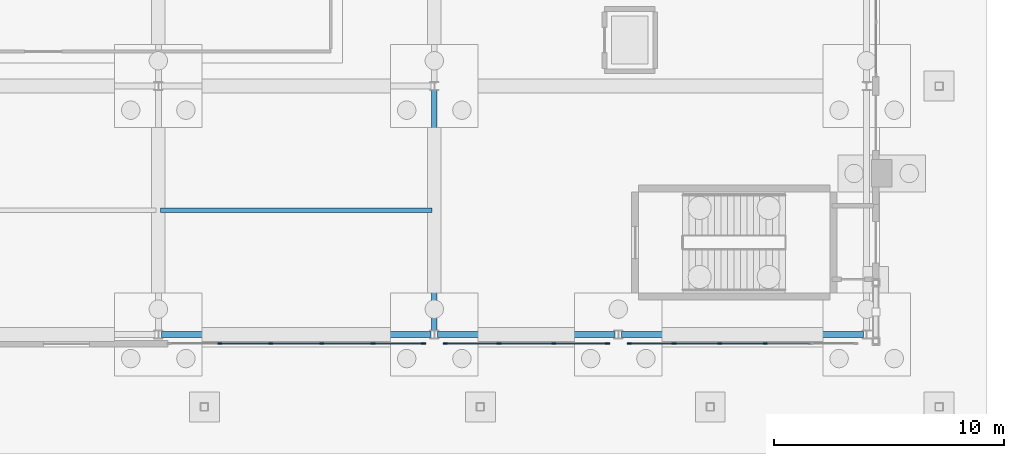
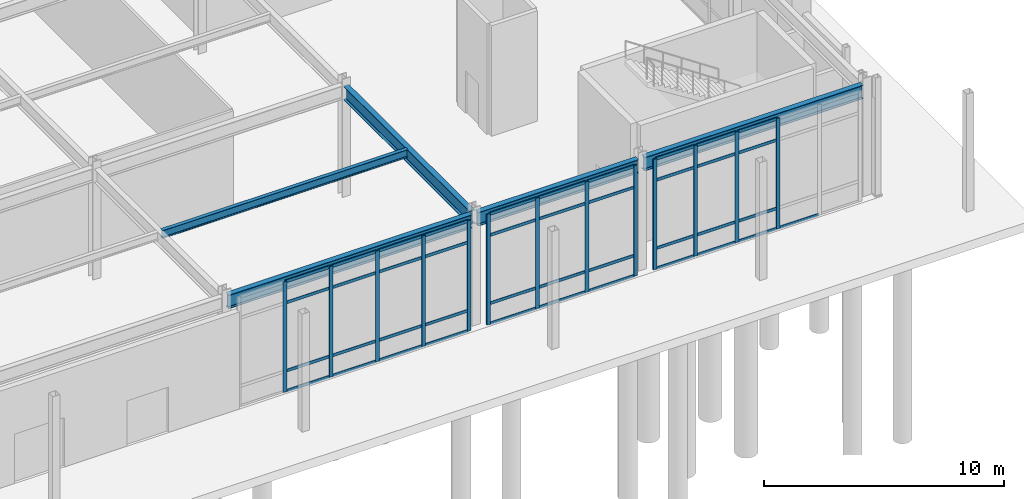
# One storey, part 59 of 143: 54 members, 5 beams, 3 elements without a shape of their own.
"""IFC4 building model written with IfcOpenShell, lengths in metres."""

from ifc_helpers import new_model, si_unit, derived_unit, direction, frame, origin, origin_2d, place, context, subcontext, project, spatial, rectangle, i_section, extrude, material, layer, layer_set, material_profile, profile_set, type_object, element, aggregate, save


model = new_model("IFC4")

# Units and contexts
model_context = context("Model", 3, precision=1e-05, world=origin(), true_north=direction((0.0, 1.0)))
body_context = subcontext(model_context, "Body", "Model", "MODEL_VIEW")
ifc_project = project(units=[si_unit("LENGTHUNIT", "METRE"), si_unit("AREAUNIT", "SQUARE_METRE"), si_unit("VOLUMEUNIT", "CUBIC_METRE"), si_unit("PLANEANGLEUNIT", "RADIAN"), si_unit("MASSUNIT", "GRAM", prefix="KILO"), derived_unit("THERMALTRANSMITTANCEUNIT", [(si_unit("MASSUNIT", "GRAM", prefix="KILO"), 1), (si_unit("TIMEUNIT", "SECOND"), -3), (si_unit("THERMODYNAMICTEMPERATUREUNIT", "KELVIN"), -1)])], contexts=[model_context])

# Site, building, storey
site_placement = place(None, origin())
site = spatial("IfcSite", under=ifc_project, at=site_placement, CompositionType="ELEMENT")
building_placement = place(site_placement, origin())
building = spatial("IfcBuilding", under=site, at=building_placement, Name="Valcora Ridge Arena", CompositionType="ELEMENT")
storey_placement = place(building_placement, origin())
storey = spatial("IfcBuildingStorey", under=building, at=storey_placement, Name="L00", CompositionType="ELEMENT", Elevation=0.0)

# Beams
ifc_material_1 = material(Name="Steel ASTM A572 Grade 50", Category="steel")
ifc_material_profile_1 = material_profile(ifc_material_1, i_section(OverallWidth=0.256103515625, OverallDepth=0.693115234375, WebThickness=0.014404296875, FlangeThickness=0.023681640625, FilletRadius=0.02001953125, at=origin_2d()), Name="W27X114")
ifc_profile_set_1 = profile_set([ifc_material_profile_1], Name="Steel ASTM A572 Grade 50")
beam_type_1 = type_object("IfcBeamType", Name="TY-BEAM-G-W27X114-Y", PredefinedType="BEAM", material=ifc_profile_set_1)
beam_1_placement = place(storey_placement, frame((168.0, 5.340087890625, 5.2734375), z_axis=(0.0, 1.0, 0.0), x_axis=(-1.0, 0.0, 0.0)))
element("IfcBeam", 1, at=beam_1_placement, inside=storey, type_object=beam_type_1, Name="G-W27X114-Y BEM-G-W27X114-Y-0018", PredefinedType="BEAM", context=body_context, shape_type="SweptSolid", body=[
    extrude(i_section(OverallWidth=0.256103515625, OverallDepth=0.693115234375, WebThickness=0.014404296875, FlangeThickness=0.023681640625, FilletRadius=0.02001953125, at=origin_2d()), origin(), (0.0, 0.0, 1.0), 10.52001953125),
])
ifc_material_profile_2 = material_profile(ifc_material_1, i_section(OverallWidth=0.177978515625, OverallDepth=0.406005859375, WebThickness=0.0078125, FlangeThickness=0.0126953125, FilletRadius=0.013916015625, at=origin_2d()), Name="W16X40")
ifc_profile_set_2 = profile_set([ifc_material_profile_2], Name="Steel ASTM A572 Grade 50")
beam_type_2 = type_object("IfcBeamType", Name="TY-BEAM-J-W16X40", PredefinedType="JOIST", material=ifc_profile_set_2)
beam_2_placement = place(storey_placement, frame((156.10009765625, 10.60009765625, 5.4169921875), z_axis=(1.0, 0.0, 0.0), x_axis=(0.0, 1.0, 0.0)))
element("IfcBeam", 2, at=beam_2_placement, inside=storey, type_object=beam_type_2, Name="J-W16X40 BEM-J-W16X40-0006", PredefinedType="JOIST", context=body_context, shape_type="SweptSolid", body=[
    extrude(i_section(OverallWidth=0.177978515625, OverallDepth=0.406005859375, WebThickness=0.0078125, FlangeThickness=0.0126953125, FilletRadius=0.013916015625, at=origin_2d()), origin(), (0.0, 0.0, 1.0), 11.7998046875),
])
ifc_material_profile_3 = material_profile(ifc_material_1, i_section(OverallWidth=0.256103515625, OverallDepth=0.693115234375, WebThickness=0.014404296875, FlangeThickness=0.023681640625, FilletRadius=0.02001953125, at=origin_2d()), Name="W27X114")
ifc_profile_set_3 = profile_set([ifc_material_profile_3], Name="Steel ASTM A572 Grade 50")
beam_type_3 = type_object("IfcBeamType", Name="TY-BEAM-SP-W27X114", PredefinedType="SPANDREL", material=ifc_profile_set_3)
beam_3_placement = place(storey_placement, frame((156.139892578125, 5.199951171875, 5.2734375), z_axis=(1.0, 0.0, 0.0), x_axis=(0.0, 1.0, 0.0)))
element("IfcBeam", 3, at=beam_3_placement, inside=storey, type_object=beam_type_3, Name="SP-W27X114 BEM-SP-W27X114-0003", PredefinedType="SPANDREL", context=body_context, shape_type="SweptSolid", body=[
    extrude(i_section(OverallWidth=0.256103515625, OverallDepth=0.693115234375, WebThickness=0.014404296875, FlangeThickness=0.023681640625, FilletRadius=0.02001953125, at=origin_2d()), origin(), (0.0, 0.0, 1.0), 11.72021484375),
])
beam_4_placement = place(storey_placement, frame((168.139892578125, 5.199951171875, 5.2734375), z_axis=(1.0, 0.0, 0.0), x_axis=(0.0, 1.0, 0.0)))
element("IfcBeam", 4, at=beam_4_placement, inside=storey, type_object=beam_type_3, Name="SP-W27X114 BEM-SP-W27X114-0004", PredefinedType="SPANDREL", context=body_context, shape_type="SweptSolid", body=[
    extrude(i_section(OverallWidth=0.256103515625, OverallDepth=0.693115234375, WebThickness=0.014404296875, FlangeThickness=0.023681640625, FilletRadius=0.02001953125, at=origin_2d()), origin(), (0.0, 0.0, 1.0), 7.72021484375),
])
beam_5_placement = place(storey_placement, frame((176.139892578125, 5.199951171875, 5.2734375), z_axis=(1.0, 0.0, 0.0), x_axis=(0.0, 1.0, 0.0)))
element("IfcBeam", 5, at=beam_5_placement, inside=storey, type_object=beam_type_3, Name="SP-W27X114 BEM-SP-W27X114-0005", PredefinedType="SPANDREL", context=body_context, shape_type="SweptSolid", body=[
    extrude(i_section(OverallWidth=0.256103515625, OverallDepth=0.693115234375, WebThickness=0.014404296875, FlangeThickness=0.023681640625, FilletRadius=0.02001953125, at=origin_2d()), origin(), (0.0, 0.0, 1.0), 10.52001953125),
])

# Curtain wall, members
ifc_material_2 = material(Name="Anodised dark bronze architectural aluminium 6063-T6", Category="aluminium")
ifc_layer_1 = layer(ifc_material_2, 0.179931640625, Name="Anodised dark bronze architectural aluminium 6063-T6")
ifc_layer_set_1 = layer_set([ifc_layer_1], Name="Anodised dark bronze architectural aluminium 6063-T6")
curtain_wall_type_1 = type_object("IfcCurtainWallType", Name="TY-CURTAINWALL-CW-V2-GLAZ-111X56", PredefinedType="NOTDEFINED", material=ifc_layer_set_1)
curtain_wall_1_placement = place(storey_placement, origin())
curtain_wall_1 = element("IfcCurtainWall", 6, at=curtain_wall_1_placement, inside=storey, type_object=curtain_wall_type_1, Name="CW-V2-GLAZ-111X56 CW-0025", PredefinedType="NOTDEFINED")
ifc_material_profile_4 = material_profile(ifc_material_2, rectangle(XDim=0.06005859375, YDim=0.179931640625, at=origin_2d()), Name="ALU MULLION 60x180")
ifc_profile_set_4 = profile_set([ifc_material_profile_4], Name="Anodised dark bronze architectural aluminium 6063-T6")
member_type_1 = type_object("IfcMemberType", Name="TY-MEM-CWM-60x180", PredefinedType="MULLION", material=ifc_profile_set_4)
member_1_placement = place(storey_placement, frame((158.663818359375, 4.800048828125, 0.0), z_axis=(0.0, 0.0, 1.0), x_axis=(0.0, 1.0, 0.0)))
member_1 = element("IfcMember", 7, at=member_1_placement, type_object=member_type_1, Name="CW-0025/CWM-60x180/M01", PredefinedType="MULLION", context=body_context, shape_type="SweptSolid", body=[
    extrude(rectangle(XDim=0.06005859375, YDim=0.179931640625, at=origin_2d()), origin(), (0.0, 0.0, 1.0), 5.6201171875),
])
member_2_placement = place(storey_placement, frame((160.887939453125, 4.800048828125, 0.0), z_axis=(0.0, 0.0, 1.0), x_axis=(0.0, 1.0, 0.0)))
member_2 = element("IfcMember", 8, at=member_2_placement, type_object=member_type_1, Name="CW-0025/CWM-60x180/M02", PredefinedType="MULLION", context=body_context, shape_type="SweptSolid", body=[
    extrude(rectangle(XDim=0.06005859375, YDim=0.179931640625, at=origin_2d()), origin(), (0.0, 0.0, 1.0), 5.6201171875),
])
member_3_placement = place(storey_placement, frame((163.112060546875, 4.800048828125, 0.0), z_axis=(0.0, 0.0, 1.0), x_axis=(0.0, 1.0, 0.0)))
member_3 = element("IfcMember", 9, at=member_3_placement, type_object=member_type_1, Name="CW-0025/CWM-60x180/M03", PredefinedType="MULLION", context=body_context, shape_type="SweptSolid", body=[
    extrude(rectangle(XDim=0.06005859375, YDim=0.179931640625, at=origin_2d()), origin(), (0.0, 0.0, 1.0), 5.6201171875),
])
member_4_placement = place(storey_placement, frame((165.336181640625, 4.800048828125, 0.0), z_axis=(0.0, 0.0, 1.0), x_axis=(0.0, 1.0, 0.0)))
member_4 = element("IfcMember", 10, at=member_4_placement, type_object=member_type_1, Name="CW-0025/CWM-60x180/M04", PredefinedType="MULLION", context=body_context, shape_type="SweptSolid", body=[
    extrude(rectangle(XDim=0.06005859375, YDim=0.179931640625, at=origin_2d()), origin(), (0.0, 0.0, 1.0), 5.6201171875),
])
member_5_placement = place(storey_placement, frame((167.530517578125, 4.800048828125, 0.0), z_axis=(0.0, 0.0, 1.0), x_axis=(0.0, 1.0, 0.0)))
member_5 = element("IfcMember", 11, at=member_5_placement, type_object=member_type_1, Name="CW-0025/CWM-60x180/M05", PredefinedType="MULLION", context=body_context, shape_type="SweptSolid", body=[
    extrude(rectangle(XDim=0.06005859375, YDim=0.179931640625, at=origin_2d()), origin(), (0.0, 0.0, 1.0), 5.6201171875),
])

ifc_layer_2 = layer(ifc_material_2, 0.179931640625, Name="Anodised dark bronze architectural aluminium 6063-T6")
ifc_layer_set_2 = layer_set([ifc_layer_2], Name="Anodised dark bronze architectural aluminium 6063-T6")
curtain_wall_type_2 = type_object("IfcCurtainWallType", Name="TY-CURTAINWALL-CW-V2-GLAZ-071X56", PredefinedType="NOTDEFINED", material=ifc_layer_set_2)
curtain_wall_2_placement = place(storey_placement, origin())
curtain_wall_2 = element("IfcCurtainWall", 12, at=curtain_wall_2_placement, inside=storey, type_object=curtain_wall_type_2, Name="CW-V2-GLAZ-071X56 CW-0026", PredefinedType="NOTDEFINED")
member_6_placement = place(storey_placement, frame((168.469482421875, 4.800048828125, 0.0), z_axis=(0.0, 0.0, 1.0), x_axis=(0.0, 1.0, 0.0)))
member_6 = element("IfcMember", 13, at=member_6_placement, type_object=member_type_1, Name="CW-0026/CWM-60x180/M00", PredefinedType="MULLION", context=body_context, shape_type="SweptSolid", body=[
    extrude(rectangle(XDim=0.06005859375, YDim=0.179931640625, at=origin_2d()), origin(), (0.0, 0.0, 1.0), 5.6201171875),
])
member_7_placement = place(storey_placement, frame((170.813232421875, 4.800048828125, 0.0), z_axis=(0.0, 0.0, 1.0), x_axis=(0.0, 1.0, 0.0)))
member_7 = element("IfcMember", 14, at=member_7_placement, type_object=member_type_1, Name="CW-0026/CWM-60x180/M01", PredefinedType="MULLION", context=body_context, shape_type="SweptSolid", body=[
    extrude(rectangle(XDim=0.06005859375, YDim=0.179931640625, at=origin_2d()), origin(), (0.0, 0.0, 1.0), 5.6201171875),
])
member_8_placement = place(storey_placement, frame((173.186767578125, 4.800048828125, 0.0), z_axis=(0.0, 0.0, 1.0), x_axis=(0.0, 1.0, 0.0)))
member_8 = element("IfcMember", 15, at=member_8_placement, type_object=member_type_1, Name="CW-0026/CWM-60x180/M02", PredefinedType="MULLION", context=body_context, shape_type="SweptSolid", body=[
    extrude(rectangle(XDim=0.06005859375, YDim=0.179931640625, at=origin_2d()), origin(), (0.0, 0.0, 1.0), 5.6201171875),
])
member_9_placement = place(storey_placement, frame((175.530517578125, 4.800048828125, 0.0), z_axis=(0.0, 0.0, 1.0), x_axis=(0.0, 1.0, 0.0)))
member_9 = element("IfcMember", 16, at=member_9_placement, type_object=member_type_1, Name="CW-0026/CWM-60x180/M03", PredefinedType="MULLION", context=body_context, shape_type="SweptSolid", body=[
    extrude(rectangle(XDim=0.06005859375, YDim=0.179931640625, at=origin_2d()), origin(), (0.0, 0.0, 1.0), 5.6201171875),
])

ifc_layer_3 = layer(ifc_material_2, 0.179931640625, Name="Anodised dark bronze architectural aluminium 6063-T6")
ifc_layer_set_3 = layer_set([ifc_layer_3], Name="Anodised dark bronze architectural aluminium 6063-T6")
curtain_wall_type_3 = type_object("IfcCurtainWallType", Name="TY-CURTAINWALL-CW-V2-GLAZ-099X56", PredefinedType="NOTDEFINED", material=ifc_layer_set_3)
curtain_wall_3_placement = place(storey_placement, origin())
curtain_wall_3 = element("IfcCurtainWall", 17, at=curtain_wall_3_placement, inside=storey, type_object=curtain_wall_type_3, Name="CW-V2-GLAZ-099X56 CW-0027", PredefinedType="NOTDEFINED")
member_10_placement = place(storey_placement, frame((176.469482421875, 4.800048828125, 0.0), z_axis=(0.0, 0.0, 1.0), x_axis=(0.0, 1.0, 0.0)))
member_10 = element("IfcMember", 18, at=member_10_placement, type_object=member_type_1, Name="CW-0027/CWM-60x180/M00", PredefinedType="MULLION", context=body_context, shape_type="SweptSolid", body=[
    extrude(rectangle(XDim=0.06005859375, YDim=0.179931640625, at=origin_2d()), origin(), (0.0, 0.0, 1.0), 5.6201171875),
])
member_11_placement = place(storey_placement, frame((178.423583984375, 4.800048828125, 0.0), z_axis=(0.0, 0.0, 1.0), x_axis=(0.0, 1.0, 0.0)))
member_11 = element("IfcMember", 19, at=member_11_placement, type_object=member_type_1, Name="CW-0027/CWM-60x180/M01", PredefinedType="MULLION", context=body_context, shape_type="SweptSolid", body=[
    extrude(rectangle(XDim=0.06005859375, YDim=0.179931640625, at=origin_2d()), origin(), (0.0, 0.0, 1.0), 5.6201171875),
])
member_12_placement = place(storey_placement, frame((180.407958984375, 4.800048828125, 0.0), z_axis=(0.0, 0.0, 1.0), x_axis=(0.0, 1.0, 0.0)))
member_12 = element("IfcMember", 20, at=member_12_placement, type_object=member_type_1, Name="CW-0027/CWM-60x180/M02", PredefinedType="MULLION", context=body_context, shape_type="SweptSolid", body=[
    extrude(rectangle(XDim=0.06005859375, YDim=0.179931640625, at=origin_2d()), origin(), (0.0, 0.0, 1.0), 5.6201171875),
])
member_13_placement = place(storey_placement, frame((182.39208984375, 4.800048828125, 0.0), z_axis=(0.0, 0.0, 1.0), x_axis=(0.0, 1.0, 0.0)))
member_13 = element("IfcMember", 21, at=member_13_placement, type_object=member_type_1, Name="CW-0027/CWM-60x180/M03", PredefinedType="MULLION", context=body_context, shape_type="SweptSolid", body=[
    extrude(rectangle(XDim=0.06005859375, YDim=0.179931640625, at=origin_2d()), origin(), (0.0, 0.0, 1.0), 5.6201171875),
])

# Member
ifc_material_profile_5 = material_profile(ifc_material_2, rectangle(XDim=0.050048828125, YDim=0.14990234375, at=origin_2d()), Name="ALU TRANSOM 50x150")
ifc_profile_set_5 = profile_set([ifc_material_profile_5], Name="Anodised dark bronze architectural aluminium 6063-T6")
member_type_2 = type_object("IfcMemberType", Name="TY-MEM-CWT-50x150", PredefinedType="USERDEFINED", material=ifc_profile_set_5)
member_14_placement = place(storey_placement, frame((158.693603515625, 4.800048828125, 0.02490234375), z_axis=(1.0, 0.0, 0.0), x_axis=(0.0, 1.0, 0.0)))
member_14 = element("IfcMember", 22, at=member_14_placement, type_object=member_type_2, Name="CW-0025/CWT-50x150/T01-00", ObjectType="TRANSOM", PredefinedType="USERDEFINED", context=body_context, shape_type="SweptSolid", body=[
    extrude(rectangle(XDim=0.050048828125, YDim=0.14990234375, at=origin_2d()), origin(), (0.0, 0.0, 1.0), 2.163818359375),
])

member_15_placement = place(storey_placement, frame((158.693603515625, 4.800048828125, 1.050048828125), z_axis=(1.0, 0.0, 0.0), x_axis=(0.0, 1.0, 0.0)))
member_15 = element("IfcMember", 23, at=member_15_placement, type_object=member_type_2, Name="CW-0025/CWT-50x150/T01-01", ObjectType="TRANSOM", PredefinedType="USERDEFINED", context=body_context, shape_type="SweptSolid", body=[
    extrude(rectangle(XDim=0.050048828125, YDim=0.14990234375, at=origin_2d()), origin(), (0.0, 0.0, 1.0), 2.163818359375),
])

member_16_placement = place(storey_placement, frame((158.693603515625, 4.800048828125, 4.52001953125), z_axis=(1.0, 0.0, 0.0), x_axis=(0.0, 1.0, 0.0)))
member_16 = element("IfcMember", 24, at=member_16_placement, type_object=member_type_2, Name="CW-0025/CWT-50x150/T01-02", ObjectType="TRANSOM", PredefinedType="USERDEFINED", context=body_context, shape_type="SweptSolid", body=[
    extrude(rectangle(XDim=0.050048828125, YDim=0.14990234375, at=origin_2d()), origin(), (0.0, 0.0, 1.0), 2.163818359375),
])

member_17_placement = place(storey_placement, frame((158.693603515625, 4.800048828125, 5.594970703125), z_axis=(1.0, 0.0, 0.0), x_axis=(0.0, 1.0, 0.0)))
member_17 = element("IfcMember", 25, at=member_17_placement, type_object=member_type_2, Name="CW-0025/CWT-50x150/T01-03", ObjectType="TRANSOM", PredefinedType="USERDEFINED", context=body_context, shape_type="SweptSolid", body=[
    extrude(rectangle(XDim=0.050048828125, YDim=0.14990234375, at=origin_2d()), origin(), (0.0, 0.0, 1.0), 2.163818359375),
])

member_18_placement = place(storey_placement, frame((160.91748046875, 4.800048828125, 0.02490234375), z_axis=(1.0, 0.0, 0.0), x_axis=(0.0, 1.0, 0.0)))
member_18 = element("IfcMember", 26, at=member_18_placement, type_object=member_type_2, Name="CW-0025/CWT-50x150/T02-00", ObjectType="TRANSOM", PredefinedType="USERDEFINED", context=body_context, shape_type="SweptSolid", body=[
    extrude(rectangle(XDim=0.050048828125, YDim=0.14990234375, at=origin_2d()), origin(), (0.0, 0.0, 1.0), 2.1650390625),
])

member_19_placement = place(storey_placement, frame((160.91748046875, 4.800048828125, 1.050048828125), z_axis=(1.0, 0.0, 0.0), x_axis=(0.0, 1.0, 0.0)))
member_19 = element("IfcMember", 27, at=member_19_placement, type_object=member_type_2, Name="CW-0025/CWT-50x150/T02-01", ObjectType="TRANSOM", PredefinedType="USERDEFINED", context=body_context, shape_type="SweptSolid", body=[
    extrude(rectangle(XDim=0.050048828125, YDim=0.14990234375, at=origin_2d()), origin(), (0.0, 0.0, 1.0), 2.1650390625),
])

member_20_placement = place(storey_placement, frame((160.91748046875, 4.800048828125, 4.52001953125), z_axis=(1.0, 0.0, 0.0), x_axis=(0.0, 1.0, 0.0)))
member_20 = element("IfcMember", 28, at=member_20_placement, type_object=member_type_2, Name="CW-0025/CWT-50x150/T02-02", ObjectType="TRANSOM", PredefinedType="USERDEFINED", context=body_context, shape_type="SweptSolid", body=[
    extrude(rectangle(XDim=0.050048828125, YDim=0.14990234375, at=origin_2d()), origin(), (0.0, 0.0, 1.0), 2.1650390625),
])

member_21_placement = place(storey_placement, frame((160.91748046875, 4.800048828125, 5.594970703125), z_axis=(1.0, 0.0, 0.0), x_axis=(0.0, 1.0, 0.0)))
member_21 = element("IfcMember", 29, at=member_21_placement, type_object=member_type_2, Name="CW-0025/CWT-50x150/T02-03", ObjectType="TRANSOM", PredefinedType="USERDEFINED", context=body_context, shape_type="SweptSolid", body=[
    extrude(rectangle(XDim=0.050048828125, YDim=0.14990234375, at=origin_2d()), origin(), (0.0, 0.0, 1.0), 2.1650390625),
])

member_22_placement = place(storey_placement, frame((163.142578125, 4.800048828125, 0.02490234375), z_axis=(1.0, 0.0, 0.0), x_axis=(0.0, 1.0, 0.0)))
member_22 = element("IfcMember", 30, at=member_22_placement, type_object=member_type_2, Name="CW-0025/CWT-50x150/T03-00", ObjectType="TRANSOM", PredefinedType="USERDEFINED", context=body_context, shape_type="SweptSolid", body=[
    extrude(rectangle(XDim=0.050048828125, YDim=0.14990234375, at=origin_2d()), origin(), (0.0, 0.0, 1.0), 2.163818359375),
])

member_23_placement = place(storey_placement, frame((163.142578125, 4.800048828125, 1.050048828125), z_axis=(1.0, 0.0, 0.0), x_axis=(0.0, 1.0, 0.0)))
member_23 = element("IfcMember", 31, at=member_23_placement, type_object=member_type_2, Name="CW-0025/CWT-50x150/T03-01", ObjectType="TRANSOM", PredefinedType="USERDEFINED", context=body_context, shape_type="SweptSolid", body=[
    extrude(rectangle(XDim=0.050048828125, YDim=0.14990234375, at=origin_2d()), origin(), (0.0, 0.0, 1.0), 2.163818359375),
])

member_24_placement = place(storey_placement, frame((163.142578125, 4.800048828125, 4.52001953125), z_axis=(1.0, 0.0, 0.0), x_axis=(0.0, 1.0, 0.0)))
member_24 = element("IfcMember", 32, at=member_24_placement, type_object=member_type_2, Name="CW-0025/CWT-50x150/T03-02", ObjectType="TRANSOM", PredefinedType="USERDEFINED", context=body_context, shape_type="SweptSolid", body=[
    extrude(rectangle(XDim=0.050048828125, YDim=0.14990234375, at=origin_2d()), origin(), (0.0, 0.0, 1.0), 2.163818359375),
])

member_25_placement = place(storey_placement, frame((163.142578125, 4.800048828125, 5.594970703125), z_axis=(1.0, 0.0, 0.0), x_axis=(0.0, 1.0, 0.0)))
member_25 = element("IfcMember", 33, at=member_25_placement, type_object=member_type_2, Name="CW-0025/CWT-50x150/T03-03", ObjectType="TRANSOM", PredefinedType="USERDEFINED", context=body_context, shape_type="SweptSolid", body=[
    extrude(rectangle(XDim=0.050048828125, YDim=0.14990234375, at=origin_2d()), origin(), (0.0, 0.0, 1.0), 2.163818359375),
])

member_26_placement = place(storey_placement, frame((165.366455078125, 4.800048828125, 0.02490234375), z_axis=(1.0, 0.0, 0.0), x_axis=(0.0, 1.0, 0.0)))
member_26 = element("IfcMember", 34, at=member_26_placement, type_object=member_type_2, Name="CW-0025/CWT-50x150/T04-00", ObjectType="TRANSOM", PredefinedType="USERDEFINED", context=body_context, shape_type="SweptSolid", body=[
    extrude(rectangle(XDim=0.050048828125, YDim=0.14990234375, at=origin_2d()), origin(), (0.0, 0.0, 1.0), 2.134033203125),
])

member_27_placement = place(storey_placement, frame((165.366455078125, 4.800048828125, 1.050048828125), z_axis=(1.0, 0.0, 0.0), x_axis=(0.0, 1.0, 0.0)))
member_27 = element("IfcMember", 35, at=member_27_placement, type_object=member_type_2, Name="CW-0025/CWT-50x150/T04-01", ObjectType="TRANSOM", PredefinedType="USERDEFINED", context=body_context, shape_type="SweptSolid", body=[
    extrude(rectangle(XDim=0.050048828125, YDim=0.14990234375, at=origin_2d()), origin(), (0.0, 0.0, 1.0), 2.134033203125),
])

member_28_placement = place(storey_placement, frame((165.366455078125, 4.800048828125, 4.52001953125), z_axis=(1.0, 0.0, 0.0), x_axis=(0.0, 1.0, 0.0)))
member_28 = element("IfcMember", 36, at=member_28_placement, type_object=member_type_2, Name="CW-0025/CWT-50x150/T04-02", ObjectType="TRANSOM", PredefinedType="USERDEFINED", context=body_context, shape_type="SweptSolid", body=[
    extrude(rectangle(XDim=0.050048828125, YDim=0.14990234375, at=origin_2d()), origin(), (0.0, 0.0, 1.0), 2.134033203125),
])

member_29_placement = place(storey_placement, frame((165.366455078125, 4.800048828125, 5.594970703125), z_axis=(1.0, 0.0, 0.0), x_axis=(0.0, 1.0, 0.0)))
member_29 = element("IfcMember", 37, at=member_29_placement, type_object=member_type_2, Name="CW-0025/CWT-50x150/T04-03", ObjectType="TRANSOM", PredefinedType="USERDEFINED", context=body_context, shape_type="SweptSolid", body=[
    extrude(rectangle(XDim=0.050048828125, YDim=0.14990234375, at=origin_2d()), origin(), (0.0, 0.0, 1.0), 2.134033203125),
])

aggregate(curtain_wall_1, [member_1, member_2, member_3, member_4, member_5, member_14, member_15, member_16, member_17, member_18, member_19, member_20, member_21, member_22, member_23, member_24, member_25, member_26, member_27, member_28, member_29])

member_30_placement = place(storey_placement, frame((168.49951171875, 4.800048828125, 0.02490234375), z_axis=(1.0, 0.0, 0.0), x_axis=(0.0, 1.0, 0.0)))
member_30 = element("IfcMember", 38, at=member_30_placement, type_object=member_type_2, Name="CW-0026/CWT-50x150/T00-00", ObjectType="TRANSOM", PredefinedType="USERDEFINED", context=body_context, shape_type="SweptSolid", body=[
    extrude(rectangle(XDim=0.050048828125, YDim=0.14990234375, at=origin_2d()), origin(), (0.0, 0.0, 1.0), 2.283935546875),
])

member_31_placement = place(storey_placement, frame((168.49951171875, 4.800048828125, 1.050048828125), z_axis=(1.0, 0.0, 0.0), x_axis=(0.0, 1.0, 0.0)))
member_31 = element("IfcMember", 39, at=member_31_placement, type_object=member_type_2, Name="CW-0026/CWT-50x150/T00-01", ObjectType="TRANSOM", PredefinedType="USERDEFINED", context=body_context, shape_type="SweptSolid", body=[
    extrude(rectangle(XDim=0.050048828125, YDim=0.14990234375, at=origin_2d()), origin(), (0.0, 0.0, 1.0), 2.283935546875),
])

member_32_placement = place(storey_placement, frame((168.49951171875, 4.800048828125, 4.52001953125), z_axis=(1.0, 0.0, 0.0), x_axis=(0.0, 1.0, 0.0)))
member_32 = element("IfcMember", 40, at=member_32_placement, type_object=member_type_2, Name="CW-0026/CWT-50x150/T00-02", ObjectType="TRANSOM", PredefinedType="USERDEFINED", context=body_context, shape_type="SweptSolid", body=[
    extrude(rectangle(XDim=0.050048828125, YDim=0.14990234375, at=origin_2d()), origin(), (0.0, 0.0, 1.0), 2.283935546875),
])

member_33_placement = place(storey_placement, frame((168.49951171875, 4.800048828125, 5.594970703125), z_axis=(1.0, 0.0, 0.0), x_axis=(0.0, 1.0, 0.0)))
member_33 = element("IfcMember", 41, at=member_33_placement, type_object=member_type_2, Name="CW-0026/CWT-50x150/T00-03", ObjectType="TRANSOM", PredefinedType="USERDEFINED", context=body_context, shape_type="SweptSolid", body=[
    extrude(rectangle(XDim=0.050048828125, YDim=0.14990234375, at=origin_2d()), origin(), (0.0, 0.0, 1.0), 2.283935546875),
])

member_34_placement = place(storey_placement, frame((170.843505859375, 4.800048828125, 0.02490234375), z_axis=(1.0, 0.0, 0.0), x_axis=(0.0, 1.0, 0.0)))
member_34 = element("IfcMember", 42, at=member_34_placement, type_object=member_type_2, Name="CW-0026/CWT-50x150/T01-00", ObjectType="TRANSOM", PredefinedType="USERDEFINED", context=body_context, shape_type="SweptSolid", body=[
    extrude(rectangle(XDim=0.050048828125, YDim=0.14990234375, at=origin_2d()), origin(), (0.0, 0.0, 1.0), 2.31298828125),
])

member_35_placement = place(storey_placement, frame((170.843505859375, 4.800048828125, 1.050048828125), z_axis=(1.0, 0.0, 0.0), x_axis=(0.0, 1.0, 0.0)))
member_35 = element("IfcMember", 43, at=member_35_placement, type_object=member_type_2, Name="CW-0026/CWT-50x150/T01-01", ObjectType="TRANSOM", PredefinedType="USERDEFINED", context=body_context, shape_type="SweptSolid", body=[
    extrude(rectangle(XDim=0.050048828125, YDim=0.14990234375, at=origin_2d()), origin(), (0.0, 0.0, 1.0), 2.31298828125),
])

member_36_placement = place(storey_placement, frame((170.843505859375, 4.800048828125, 4.52001953125), z_axis=(1.0, 0.0, 0.0), x_axis=(0.0, 1.0, 0.0)))
member_36 = element("IfcMember", 44, at=member_36_placement, type_object=member_type_2, Name="CW-0026/CWT-50x150/T01-02", ObjectType="TRANSOM", PredefinedType="USERDEFINED", context=body_context, shape_type="SweptSolid", body=[
    extrude(rectangle(XDim=0.050048828125, YDim=0.14990234375, at=origin_2d()), origin(), (0.0, 0.0, 1.0), 2.31298828125),
])

member_37_placement = place(storey_placement, frame((170.843505859375, 4.800048828125, 5.594970703125), z_axis=(1.0, 0.0, 0.0), x_axis=(0.0, 1.0, 0.0)))
member_37 = element("IfcMember", 45, at=member_37_placement, type_object=member_type_2, Name="CW-0026/CWT-50x150/T01-03", ObjectType="TRANSOM", PredefinedType="USERDEFINED", context=body_context, shape_type="SweptSolid", body=[
    extrude(rectangle(XDim=0.050048828125, YDim=0.14990234375, at=origin_2d()), origin(), (0.0, 0.0, 1.0), 2.31298828125),
])

member_38_placement = place(storey_placement, frame((173.216552734375, 4.800048828125, 0.02490234375), z_axis=(1.0, 0.0, 0.0), x_axis=(0.0, 1.0, 0.0)))
member_38 = element("IfcMember", 46, at=member_38_placement, type_object=member_type_2, Name="CW-0026/CWT-50x150/T02-00", ObjectType="TRANSOM", PredefinedType="USERDEFINED", context=body_context, shape_type="SweptSolid", body=[
    extrude(rectangle(XDim=0.050048828125, YDim=0.14990234375, at=origin_2d()), origin(), (0.0, 0.0, 1.0), 2.283935546875),
])

member_39_placement = place(storey_placement, frame((173.216552734375, 4.800048828125, 1.050048828125), z_axis=(1.0, 0.0, 0.0), x_axis=(0.0, 1.0, 0.0)))
member_39 = element("IfcMember", 47, at=member_39_placement, type_object=member_type_2, Name="CW-0026/CWT-50x150/T02-01", ObjectType="TRANSOM", PredefinedType="USERDEFINED", context=body_context, shape_type="SweptSolid", body=[
    extrude(rectangle(XDim=0.050048828125, YDim=0.14990234375, at=origin_2d()), origin(), (0.0, 0.0, 1.0), 2.283935546875),
])

member_40_placement = place(storey_placement, frame((173.216552734375, 4.800048828125, 4.52001953125), z_axis=(1.0, 0.0, 0.0), x_axis=(0.0, 1.0, 0.0)))
member_40 = element("IfcMember", 48, at=member_40_placement, type_object=member_type_2, Name="CW-0026/CWT-50x150/T02-02", ObjectType="TRANSOM", PredefinedType="USERDEFINED", context=body_context, shape_type="SweptSolid", body=[
    extrude(rectangle(XDim=0.050048828125, YDim=0.14990234375, at=origin_2d()), origin(), (0.0, 0.0, 1.0), 2.283935546875),
])

member_41_placement = place(storey_placement, frame((173.216552734375, 4.800048828125, 5.594970703125), z_axis=(1.0, 0.0, 0.0), x_axis=(0.0, 1.0, 0.0)))
member_41 = element("IfcMember", 49, at=member_41_placement, type_object=member_type_2, Name="CW-0026/CWT-50x150/T02-03", ObjectType="TRANSOM", PredefinedType="USERDEFINED", context=body_context, shape_type="SweptSolid", body=[
    extrude(rectangle(XDim=0.050048828125, YDim=0.14990234375, at=origin_2d()), origin(), (0.0, 0.0, 1.0), 2.283935546875),
])

aggregate(curtain_wall_2, [member_6, member_7, member_8, member_9, member_30, member_31, member_32, member_33, member_34, member_35, member_36, member_37, member_38, member_39, member_40, member_41])

member_42_placement = place(storey_placement, frame((176.49951171875, 4.800048828125, 0.02490234375), z_axis=(1.0, 0.0, 0.0), x_axis=(0.0, 1.0, 0.0)))
member_42 = element("IfcMember", 50, at=member_42_placement, type_object=member_type_2, Name="CW-0027/CWT-50x150/T00-00", ObjectType="TRANSOM", PredefinedType="USERDEFINED", context=body_context, shape_type="SweptSolid", body=[
    extrude(rectangle(XDim=0.050048828125, YDim=0.14990234375, at=origin_2d()), origin(), (0.0, 0.0, 1.0), 1.89404296875),
])

member_43_placement = place(storey_placement, frame((176.49951171875, 4.800048828125, 1.050048828125), z_axis=(1.0, 0.0, 0.0), x_axis=(0.0, 1.0, 0.0)))
member_43 = element("IfcMember", 51, at=member_43_placement, type_object=member_type_2, Name="CW-0027/CWT-50x150/T00-01", ObjectType="TRANSOM", PredefinedType="USERDEFINED", context=body_context, shape_type="SweptSolid", body=[
    extrude(rectangle(XDim=0.050048828125, YDim=0.14990234375, at=origin_2d()), origin(), (0.0, 0.0, 1.0), 1.89404296875),
])

member_44_placement = place(storey_placement, frame((176.49951171875, 4.800048828125, 4.52001953125), z_axis=(1.0, 0.0, 0.0), x_axis=(0.0, 1.0, 0.0)))
member_44 = element("IfcMember", 52, at=member_44_placement, type_object=member_type_2, Name="CW-0027/CWT-50x150/T00-02", ObjectType="TRANSOM", PredefinedType="USERDEFINED", context=body_context, shape_type="SweptSolid", body=[
    extrude(rectangle(XDim=0.050048828125, YDim=0.14990234375, at=origin_2d()), origin(), (0.0, 0.0, 1.0), 1.89404296875),
])

member_45_placement = place(storey_placement, frame((176.49951171875, 4.800048828125, 5.594970703125), z_axis=(1.0, 0.0, 0.0), x_axis=(0.0, 1.0, 0.0)))
member_45 = element("IfcMember", 53, at=member_45_placement, type_object=member_type_2, Name="CW-0027/CWT-50x150/T00-03", ObjectType="TRANSOM", PredefinedType="USERDEFINED", context=body_context, shape_type="SweptSolid", body=[
    extrude(rectangle(XDim=0.050048828125, YDim=0.14990234375, at=origin_2d()), origin(), (0.0, 0.0, 1.0), 1.89404296875),
])

member_46_placement = place(storey_placement, frame((178.45361328125, 4.800048828125, 0.02490234375), z_axis=(1.0, 0.0, 0.0), x_axis=(0.0, 1.0, 0.0)))
member_46 = element("IfcMember", 54, at=member_46_placement, type_object=member_type_2, Name="CW-0027/CWT-50x150/T01-00", ObjectType="TRANSOM", PredefinedType="USERDEFINED", context=body_context, shape_type="SweptSolid", body=[
    extrude(rectangle(XDim=0.050048828125, YDim=0.14990234375, at=origin_2d()), origin(), (0.0, 0.0, 1.0), 1.923828125),
])

member_47_placement = place(storey_placement, frame((178.45361328125, 4.800048828125, 1.050048828125), z_axis=(1.0, 0.0, 0.0), x_axis=(0.0, 1.0, 0.0)))
member_47 = element("IfcMember", 55, at=member_47_placement, type_object=member_type_2, Name="CW-0027/CWT-50x150/T01-01", ObjectType="TRANSOM", PredefinedType="USERDEFINED", context=body_context, shape_type="SweptSolid", body=[
    extrude(rectangle(XDim=0.050048828125, YDim=0.14990234375, at=origin_2d()), origin(), (0.0, 0.0, 1.0), 1.923828125),
])

member_48_placement = place(storey_placement, frame((178.45361328125, 4.800048828125, 4.52001953125), z_axis=(1.0, 0.0, 0.0), x_axis=(0.0, 1.0, 0.0)))
member_48 = element("IfcMember", 56, at=member_48_placement, type_object=member_type_2, Name="CW-0027/CWT-50x150/T01-02", ObjectType="TRANSOM", PredefinedType="USERDEFINED", context=body_context, shape_type="SweptSolid", body=[
    extrude(rectangle(XDim=0.050048828125, YDim=0.14990234375, at=origin_2d()), origin(), (0.0, 0.0, 1.0), 1.923828125),
])

member_49_placement = place(storey_placement, frame((178.45361328125, 4.800048828125, 5.594970703125), z_axis=(1.0, 0.0, 0.0), x_axis=(0.0, 1.0, 0.0)))
member_49 = element("IfcMember", 57, at=member_49_placement, type_object=member_type_2, Name="CW-0027/CWT-50x150/T01-03", ObjectType="TRANSOM", PredefinedType="USERDEFINED", context=body_context, shape_type="SweptSolid", body=[
    extrude(rectangle(XDim=0.050048828125, YDim=0.14990234375, at=origin_2d()), origin(), (0.0, 0.0, 1.0), 1.923828125),
])

member_50_placement = place(storey_placement, frame((180.4375, 4.800048828125, 0.02490234375), z_axis=(1.0, 0.0, 0.0), x_axis=(0.0, 1.0, 0.0)))
member_50 = element("IfcMember", 58, at=member_50_placement, type_object=member_type_2, Name="CW-0027/CWT-50x150/T02-00", ObjectType="TRANSOM", PredefinedType="USERDEFINED", context=body_context, shape_type="SweptSolid", body=[
    extrude(rectangle(XDim=0.050048828125, YDim=0.14990234375, at=origin_2d()), origin(), (0.0, 0.0, 1.0), 1.925048828125),
])

member_51_placement = place(storey_placement, frame((180.4375, 4.800048828125, 1.050048828125), z_axis=(1.0, 0.0, 0.0), x_axis=(0.0, 1.0, 0.0)))
member_51 = element("IfcMember", 59, at=member_51_placement, type_object=member_type_2, Name="CW-0027/CWT-50x150/T02-01", ObjectType="TRANSOM", PredefinedType="USERDEFINED", context=body_context, shape_type="SweptSolid", body=[
    extrude(rectangle(XDim=0.050048828125, YDim=0.14990234375, at=origin_2d()), origin(), (0.0, 0.0, 1.0), 1.925048828125),
])

member_52_placement = place(storey_placement, frame((180.4375, 4.800048828125, 4.52001953125), z_axis=(1.0, 0.0, 0.0), x_axis=(0.0, 1.0, 0.0)))
member_52 = element("IfcMember", 60, at=member_52_placement, type_object=member_type_2, Name="CW-0027/CWT-50x150/T02-02", ObjectType="TRANSOM", PredefinedType="USERDEFINED", context=body_context, shape_type="SweptSolid", body=[
    extrude(rectangle(XDim=0.050048828125, YDim=0.14990234375, at=origin_2d()), origin(), (0.0, 0.0, 1.0), 1.925048828125),
])

member_53_placement = place(storey_placement, frame((180.4375, 4.800048828125, 5.594970703125), z_axis=(1.0, 0.0, 0.0), x_axis=(0.0, 1.0, 0.0)))
member_53 = element("IfcMember", 61, at=member_53_placement, type_object=member_type_2, Name="CW-0027/CWT-50x150/T02-03", ObjectType="TRANSOM", PredefinedType="USERDEFINED", context=body_context, shape_type="SweptSolid", body=[
    extrude(rectangle(XDim=0.050048828125, YDim=0.14990234375, at=origin_2d()), origin(), (0.0, 0.0, 1.0), 1.925048828125),
])

member_54_placement = place(storey_placement, frame((182.422607421875, 4.800048828125, 0.02490234375), z_axis=(1.0, 0.0, 0.0), x_axis=(0.0, 1.0, 0.0)))
member_54 = element("IfcMember", 62, at=member_54_placement, type_object=member_type_2, Name="CW-0027/CWT-50x150/T03-00", ObjectType="TRANSOM", PredefinedType="USERDEFINED", context=body_context, shape_type="SweptSolid", body=[
    extrude(rectangle(XDim=0.050048828125, YDim=0.14990234375, at=origin_2d()), origin(), (0.0, 0.0, 1.0), 1.923828125),
])

aggregate(curtain_wall_3, [member_10, member_11, member_12, member_13, member_42, member_43, member_44, member_45, member_46, member_47, member_48, member_49, member_50, member_51, member_52, member_53, member_54])

save(model, "model.ifc")
